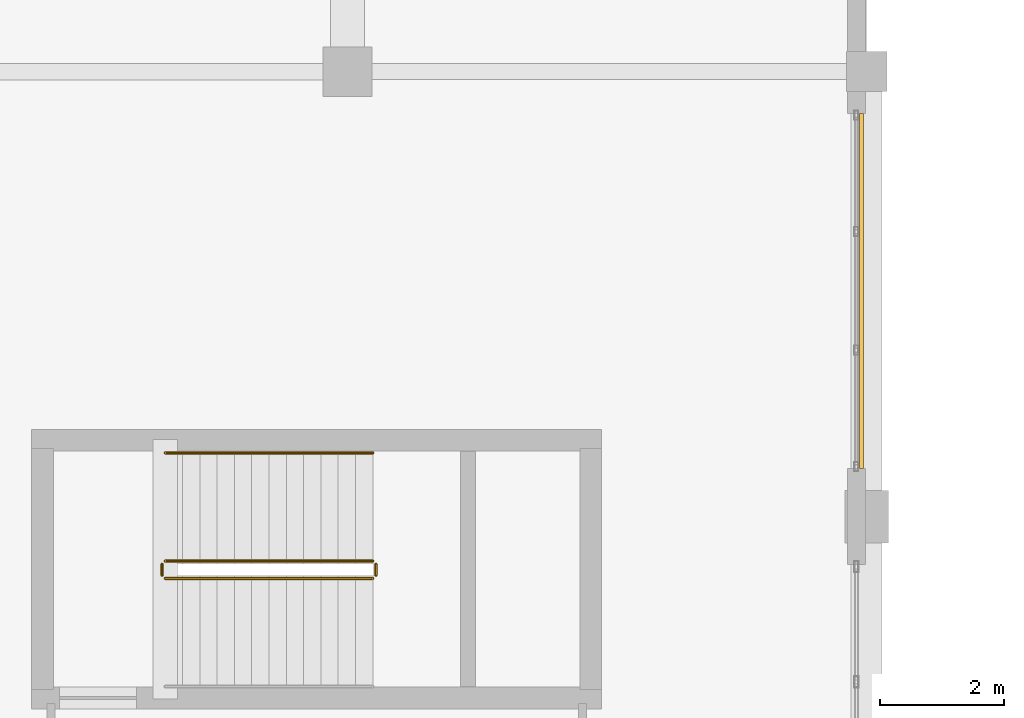
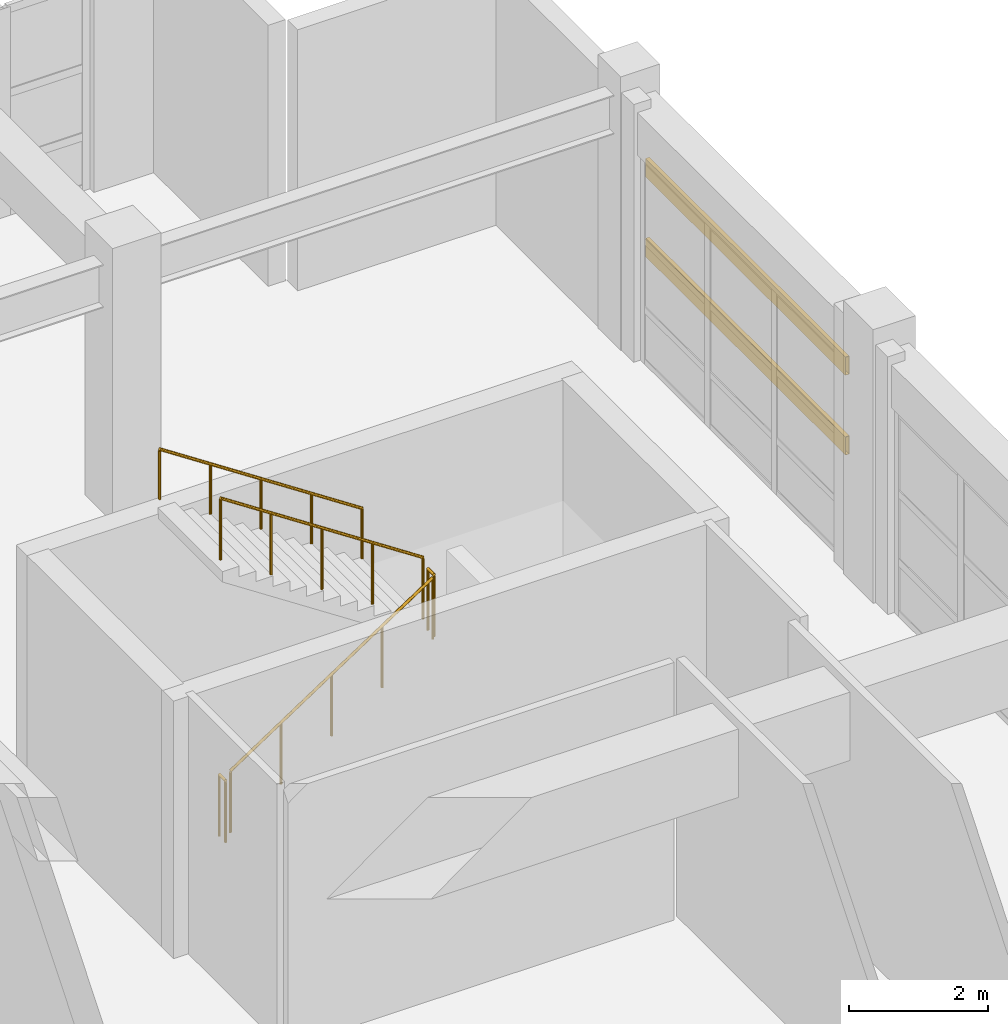
# One storey, part 116 of 123: 5 railings, 2 shading devices.
"""IFC4 building model written with IfcOpenShell, lengths in metres."""

from ifc_helpers import new_model, si_unit, direction, frame, origin, origin_2d, place, context, subcontext, project, spatial, hollow_rectangle, circle, extrude, material, material_profile, profile_set, type_object, element, save


model = new_model("IFC4")

# Units and contexts
model_context = context("Model", 3, precision=1e-05, world=origin(), true_north=direction((0.0, 1.0)))
body_context = subcontext(model_context, "Body", "Model", "MODEL_VIEW")
ifc_project = project(units=[si_unit("LENGTHUNIT", "METRE"), si_unit("AREAUNIT", "SQUARE_METRE"), si_unit("VOLUMEUNIT", "CUBIC_METRE"), si_unit("PLANEANGLEUNIT", "RADIAN"), si_unit("MASSUNIT", "GRAM", prefix="KILO")], contexts=[model_context])

# Site, building, storey
site_placement = place(None, origin())
site = spatial("IfcSite", under=ifc_project, at=site_placement, CompositionType="ELEMENT")
building_placement = place(site_placement, origin())
building = spatial("IfcBuilding", under=site, at=building_placement, Name="Quendrovan Civic Courthouse", CompositionType="ELEMENT")
storey_placement = place(building_placement, frame((0.0, 0.0, 5.39990234375)))
storey = spatial("IfcBuildingStorey", under=building, at=storey_placement, Name="L02", CompositionType="ELEMENT", Elevation=5.39990234375)

# Railings
ifc_material_1 = material(Name="Painted galvanized steel", Category="steel")
railing_type_1 = type_object("IfcRailingType", Name="RL-STR-GUARD1100", PredefinedType="GUARDRAIL", material=ifc_material_1)
railing_1_placement = place(storey_placement, frame((5.449951171875, 86.60009765625, 0.184814453125)))
element("IfcRailing", 1, at=railing_1_placement, inside=storey, type_object=railing_type_1, Name="L02 ST8 stair guard 1", PredefinedType="GUARDRAIL", context=body_context, shape_type="SweptSolid", body=[
    extrude(circle(Radius=0.02392578125, at=origin_2d()), frame((0.0, 0.0, 1.076171875), z_axis=(0.834876476806, 0.0, 0.550437342915), x_axis=(0.0, 1.0, 0.0)), (0.0, 0.0, 1.0), 4.024658203125),
    extrude(circle(Radius=0.02099609375, at=origin_2d()), origin(), (0.0, 0.0, 1.0), 1.052001953125),
    extrude(circle(Radius=0.02099609375, at=origin_2d()), frame((0.840087890625, 0.0, 0.5537109375)), (0.0, 0.0, 1.0), 1.052001953125),
    extrude(circle(Radius=0.02099609375, at=origin_2d()), frame((1.68017578125, 0.0, 1.107666015625)), (0.0, 0.0, 1.0), 1.052001953125),
    extrude(circle(Radius=0.02099609375, at=origin_2d()), frame((2.52001953125, 0.0, 1.66162109375)), (0.0, 0.0, 1.0), 1.052001953125),
    extrude(circle(Radius=0.02099609375, at=origin_2d()), frame((3.360107421875, 0.0, 2.21533203125)), (0.0, 0.0, 1.0), 1.052001953125),
])
railing_2_placement = place(storey_placement, frame((8.860107421875, 86.64990234375, 2.400146484375)))
element("IfcRailing", 2, at=railing_2_placement, inside=storey, type_object=railing_type_1, Name="L02 ST8 stair guard 2", PredefinedType="GUARDRAIL", context=body_context, shape_type="SweptSolid", body=[
    extrude(circle(Radius=0.02392578125, at=origin_2d()), frame((0.0, 0.0, 1.076171875), z_axis=(0.0, 1.0, 0.0), x_axis=(-1.0, 0.0, 0.0)), (0.0, 0.0, 1.0), 0.18017578125),
    extrude(circle(Radius=0.02099609375, at=origin_2d()), origin(), (0.0, 0.0, 1.0), 1.052001953125),
    extrude(circle(Radius=0.02099609375, at=origin_2d()), frame((0.0, 0.18017578125, 0.0)), (0.0, 0.0, 1.0), 1.052001953125),
])
railing_3_placement = place(storey_placement, frame((8.81005859375, 86.8798828125, 2.584716796875)))
element("IfcRailing", 3, at=railing_3_placement, inside=storey, type_object=railing_type_1, Name="L02 ST8 stair guard 3", PredefinedType="GUARDRAIL", context=body_context, shape_type="SweptSolid", body=[
    extrude(circle(Radius=0.02392578125, at=origin_2d()), frame((0.0, 0.0, 1.076171875), z_axis=(-0.834876476806, 0.0, 0.550437342915), x_axis=(0.0, -1.0, 0.0)), (0.0, 0.0, 1.0), 4.024658203125),
    extrude(circle(Radius=0.02099609375, at=origin_2d()), origin(), (0.0, 0.0, 1.0), 1.052001953125),
    extrude(circle(Radius=0.02099609375, at=origin_2d()), frame((-0.840087890625, 0.0, 0.5537109375)), (0.0, 0.0, 1.0), 1.052001953125),
    extrude(circle(Radius=0.02099609375, at=origin_2d()), frame((-1.68017578125, 0.0, 1.107666015625)), (0.0, 0.0, 1.0), 1.052001953125),
    extrude(circle(Radius=0.02099609375, at=origin_2d()), frame((-2.52001953125, 0.0, 1.66162109375)), (0.0, 0.0, 1.0), 1.052001953125),
    extrude(circle(Radius=0.02099609375, at=origin_2d()), frame((-3.360107421875, 0.0, 2.21533203125)), (0.0, 0.0, 1.0), 1.052001953125),
])
railing_4_placement = place(storey_placement, frame((5.39990234375, 86.64990234375, 0.0)))
element("IfcRailing", 4, at=railing_4_placement, inside=storey, type_object=railing_type_1, Name="L02 ST8 stair guard 4", PredefinedType="GUARDRAIL", context=body_context, shape_type="SweptSolid", body=[
    extrude(circle(Radius=0.02392578125, at=origin_2d()), frame((0.0, 0.0, 1.076171875), z_axis=(0.0, 1.0, 0.0), x_axis=(-1.0, 0.0, 0.0)), (0.0, 0.0, 1.0), 0.18017578125),
    extrude(circle(Radius=0.02099609375, at=origin_2d()), origin(), (0.0, 0.0, 1.0), 1.052001953125),
    extrude(circle(Radius=0.02099609375, at=origin_2d()), frame((0.0, 0.18017578125, 0.0)), (0.0, 0.0, 1.0), 1.052001953125),
])
ifc_material_2 = material(Name="Bronze anodised aluminium", Category="aluminium")
railing_type_2 = type_object("IfcRailingType", Name="RL-STR-HAND900", PredefinedType="HANDRAIL", material=ifc_material_2)
railing_5_placement = place(storey_placement, frame((8.81005859375, 88.6298828125, 2.584716796875)))
element("IfcRailing", 5, at=railing_5_placement, inside=storey, type_object=railing_type_2, Name="L02 ST8 stair handrail 2", PredefinedType="HANDRAIL", context=body_context, shape_type="SweptSolid", body=[
    extrude(circle(Radius=0.02392578125, at=origin_2d()), frame((0.0, 0.0, 0.8759765625), z_axis=(-0.834876476806, 0.0, 0.550437342915), x_axis=(0.0, -1.0, 0.0)), (0.0, 0.0, 1.0), 4.024658203125),
    extrude(circle(Radius=0.02099609375, at=origin_2d()), origin(), (0.0, 0.0, 1.0), 0.851806640625),
    extrude(circle(Radius=0.02099609375, at=origin_2d()), frame((-0.840087890625, 0.0, 0.5537109375)), (0.0, 0.0, 1.0), 0.851806640625),
    extrude(circle(Radius=0.02099609375, at=origin_2d()), frame((-1.68017578125, 0.0, 1.107666015625)), (0.0, 0.0, 1.0), 0.851806640625),
    extrude(circle(Radius=0.02099609375, at=origin_2d()), frame((-2.52001953125, 0.0, 1.66162109375)), (0.0, 0.0, 1.0), 0.851806640625),
    extrude(circle(Radius=0.02099609375, at=origin_2d()), frame((-3.360107421875, 0.0, 2.21533203125)), (0.0, 0.0, 1.0), 0.851806640625),
])

# Shading devices
ifc_material_profile = material_profile(ifc_material_2, hollow_rectangle(XDim=0.06494140625, YDim=0.320068359375, WallThickness=0.0048828125, at=origin_2d()), Name="AL-LOUVRE-65x320")
ifc_profile_set = profile_set([ifc_material_profile], Name="Bronze anodised aluminium")
shading_device_type = type_object("IfcShadingDeviceType", Name="SHD-STORM-LOUVRE", PredefinedType="JALOUSIE", material=ifc_profile_set)
for number, where, z_axis, x_axis, name in (
    (6, (16.715087890625, 94.125, 1.9501953125), (0.0, -1.0, 0.0), (1.0, 0.0, 0.0), "L02 Bronze Hurricane Storm Louvre SLV-069"),
    (7, (16.715087890625, 94.125, 3.35009765625), (0.0, -1.0, 0.0), (1.0, 0.0, 0.0), "L02 Bronze Hurricane Storm Louvre SLV-070"),
):
    element("IfcShadingDevice", number, at=place(storey_placement, frame(where, z_axis=z_axis, x_axis=x_axis)), inside=storey, type_object=shading_device_type, Name=name, PredefinedType="JALOUSIE", context=body_context, shape_type="SweptSolid", body=[
        extrude(hollow_rectangle(XDim=0.06494140625, YDim=0.320068359375, WallThickness=0.0048828125, at=origin_2d()), origin(), (0.0, 0.0, 1.0), 5.75),
    ])

save(model, "model.ifc")
